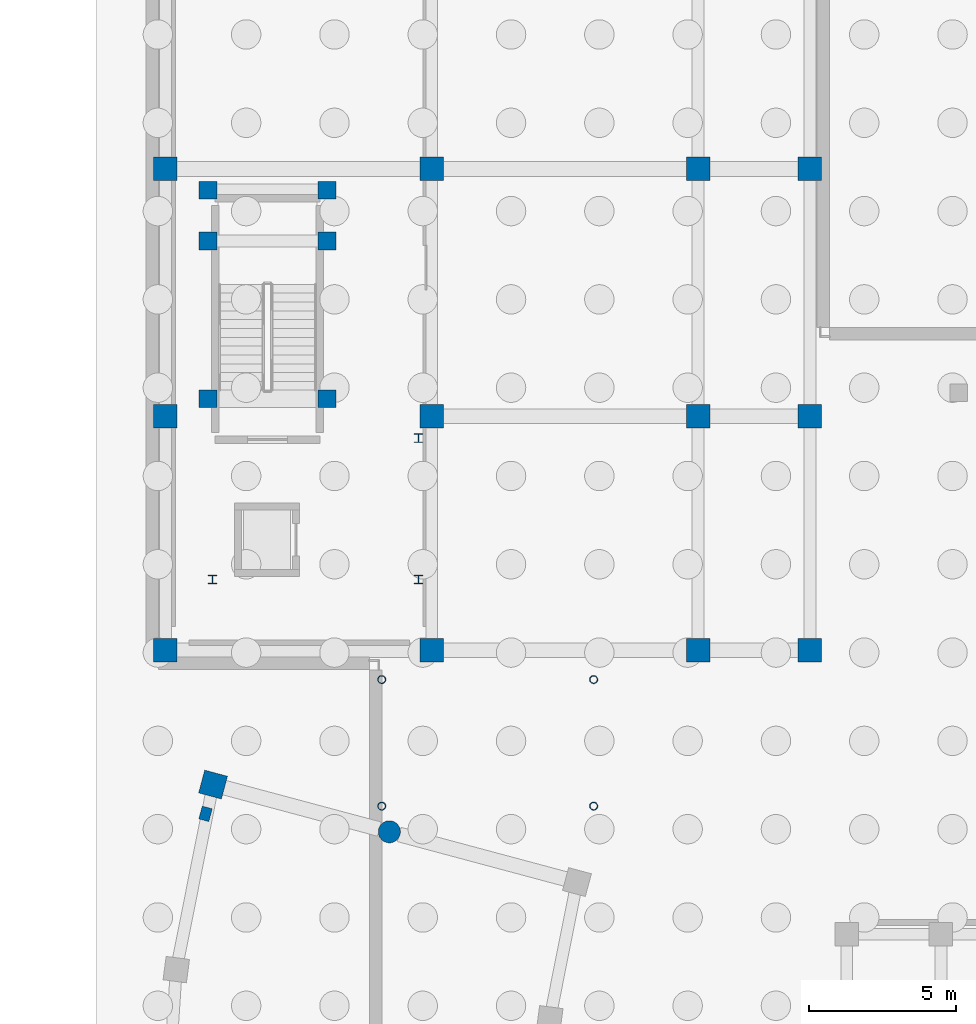
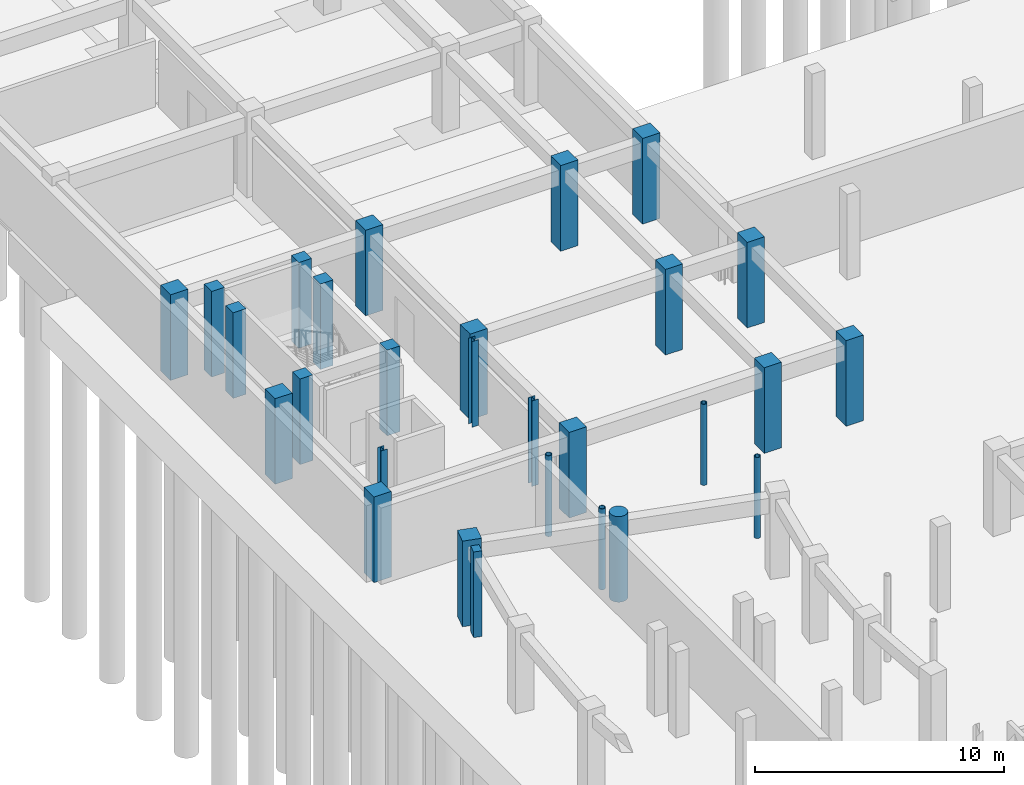
# One storey, part 11 of 33: 28 columns.
"""IFC4 building model written with IfcOpenShell, lengths in metres."""

from ifc_helpers import new_model, si_unit, direction, frame, origin, origin_2d, place, context, subcontext, project, spatial, rectangle, circle, hollow_circle, i_section, extrude, material, material_profile, profile_set, type_object, element, save


model = new_model("IFC4")

# Units and contexts
model_context = context("Model", 3, precision=1e-05, world=origin(), true_north=direction((0.0, 1.0)))
body_context = subcontext(model_context, "Body", "Model", "MODEL_VIEW")
ifc_project = project(units=[si_unit("LENGTHUNIT", "METRE"), si_unit("AREAUNIT", "SQUARE_METRE"), si_unit("VOLUMEUNIT", "CUBIC_METRE"), si_unit("PLANEANGLEUNIT", "RADIAN"), si_unit("MASSUNIT", "GRAM", prefix="KILO")], contexts=[model_context])

# Site, building, storey
site_placement = place(None, origin())
site = spatial("IfcSite", under=ifc_project, at=site_placement, CompositionType="ELEMENT")
building_placement = place(site_placement, origin())
building = spatial("IfcBuilding", under=site, at=building_placement, Name="Saryqyr Civic Hall", CompositionType="ELEMENT")
storey_placement = place(building_placement, frame((0.0, 0.0, -4.199951171875)))
storey = spatial("IfcBuildingStorey", under=building, at=storey_placement, Name="B1", CompositionType="ELEMENT", Elevation=-4.199951171875)

# Columns
ifc_material_1 = material(Name="Steel S355", Category="steel")
ifc_material_profile_1 = material_profile(ifc_material_1, hollow_circle(Radius=0.136474609375, WallThickness=0.01611328125, at=origin_2d()), Name="CHS 273x16")
ifc_profile_set_1 = profile_set([ifc_material_profile_1], Name="Steel S355")
column_type_1 = type_object("IfcColumnType", Name="STR-COL-CHS273-S355", PredefinedType="COLUMN", material=ifc_profile_set_1)
for number, where, z_axis, x_axis, name in (
    (1, (15.39990234375, 95.949951171875, 0.0), (0.0, 0.0, 1.0), (1.0, 0.0, 0.0), "Column BRCOL-BR-NW-1-B1"),
    (2, (22.60009765625, 95.949951171875, 0.0), (0.0, 0.0, 1.0), (1.0, 0.0, 0.0), "Column BRCOL-BR-NW-2-B1"),
    (3, (22.60009765625, 100.25, 0.0), (0.0, 0.0, 1.0), (1.0, 0.0, 0.0), "Column BRCOL-BR-NW-3-B1"),
    (4, (15.39990234375, 100.25, 0.0), (0.0, 0.0, 1.0), (1.0, 0.0, 0.0), "Column BRCOL-BR-NW-4-B1"),
):
    element("IfcColumn", number, at=place(storey_placement, frame(where, z_axis=z_axis, x_axis=x_axis)), inside=storey, type_object=column_type_1, Name=name, PredefinedType="COLUMN", context=body_context, shape_type="SweptSolid", body=[
        extrude(hollow_circle(Radius=0.136474609375, WallThickness=0.01611328125, at=origin_2d()), origin(), (0.0, 0.0, 1.0), 3.969970703125),
    ])
ifc_material_profile_2 = material_profile(ifc_material_1, i_section(OverallWidth=0.300048828125, OverallDepth=0.2900390625, WebThickness=0.008544921875, FlangeThickness=0.013916015625, at=origin_2d()), Name="HEA 300")
ifc_profile_set_2 = profile_set([ifc_material_profile_2], Name="Steel S355")
column_type_2 = type_object("IfcColumnType", Name="STR-COL-HEA300-S355", PredefinedType="COLUMN", material=ifc_profile_set_2)
for number, where, z_axis, x_axis, name in (
    (5, (9.64990234375, 103.64990234375, 0.0), (0.0, 0.0, 1.0), (1.0, 0.0, 0.0), "Column RGV3-COL-1-B1"),
    (6, (16.64990234375, 103.64990234375, 0.0), (0.0, 0.0, 1.0), (1.0, 0.0, 0.0), "Column RGV3-COL-2-B1"),
    (7, (16.64990234375, 108.449951171875, 0.0), (0.0, 0.0, 1.0), (1.0, 0.0, 0.0), "Column RGV3-COL-3-B1"),
):
    element("IfcColumn", number, at=place(storey_placement, frame(where, z_axis=z_axis, x_axis=x_axis)), inside=storey, type_object=column_type_2, Name=name, PredefinedType="COLUMN", context=body_context, shape_type="SweptSolid", body=[
        extrude(i_section(OverallWidth=0.300048828125, OverallDepth=0.2900390625, WebThickness=0.008544921875, FlangeThickness=0.013916015625, at=origin_2d()), origin(), (0.0, 0.0, 1.0), 4.199951171875),
    ])
ifc_material_2 = material(Name="Concrete C40/50", Category="concrete")
ifc_material_profile_3 = material_profile(ifc_material_2, rectangle(XDim=0.60009765625, YDim=0.60009765625, at=origin_2d()), Name="RC 600x600")
ifc_profile_set_3 = profile_set([ifc_material_profile_3], Name="Concrete C40/50")
column_type_3 = type_object("IfcColumnType", Name="STR-COL-RC600-C40", PredefinedType="COLUMN", material=ifc_profile_set_3)
for number, where, z_axis, x_axis, name in (
    (8, (13.5400390625, 109.794921875, 0.0), (0.0, 0.0, 1.0), (1.0, 0.0, 0.0), "Column ST-3-SCOL-TRMA-B1"),
    (9, (9.5, 109.794921875, 0.0), (0.0, 0.0, 1.0), (1.0, 0.0, 0.0), "Column ST-3-SCOL-TRMB-B1"),
    (10, (13.5400390625, 115.14990234375, 0.0), (0.0, 0.0, 1.0), (1.0, 0.0, 0.0), "Column ST-3-SCOL-LND1A-B1"),
    (11, (9.5, 115.14990234375, 0.0), (0.0, 0.0, 1.0), (1.0, 0.0, 0.0), "Column ST-3-SCOL-LND1B-B1"),
    (12, (13.5400390625, 116.8798828125, 0.0), (0.0, 0.0, 1.0), (1.0, 0.0, 0.0), "Column ST-3-SCOL-LND2A-B1"),
    (13, (9.5, 116.8798828125, 0.0), (0.0, 0.0, 1.0), (1.0, 0.0, 0.0), "Column ST-3-SCOL-LND2B-B1"),
):
    element("IfcColumn", number, at=place(storey_placement, frame(where, z_axis=z_axis, x_axis=x_axis)), inside=storey, type_object=column_type_3, Name=name, PredefinedType="COLUMN", context=body_context, shape_type="SweptSolid", body=[
        extrude(rectangle(XDim=0.60009765625, YDim=0.60009765625, at=origin_2d()), origin(), (0.0, 0.0, 1.0), 4.199951171875),
    ])
ifc_material_profile_4 = material_profile(ifc_material_2, rectangle(XDim=0.800048828125, YDim=0.800048828125, at=origin_2d()), Name="RC 800x800")
ifc_profile_set_4 = profile_set([ifc_material_profile_4], Name="Concrete C40/50")
column_type_4 = type_object("IfcColumnType", Name="STR-COL-RC800-C40", PredefinedType="COLUMN", material=ifc_profile_set_4)
for number, where, z_axis, x_axis, name in (
    (14, (9.669677734375, 96.68212890625, 0.0), (0.0, 0.0, 1.0), (-0.965925826289, 0.258819045103, 0.0), "Column V4-COL-OUT00-B1"),
    (15, (8.050048828125, 101.25, 0.0), (0.0, 0.0, 1.0), (1.0, 0.0, 0.0), "Column V3-COL-11-B1"),
    (16, (8.050048828125, 109.199951171875, 0.0), (0.0, 0.0, 1.0), (1.0, 0.0, 0.0), "Column V3-COL-12-B1"),
    (17, (8.050048828125, 117.60009765625, 0.0), (0.0, 0.0, 1.0), (1.0, 0.0, 0.0), "Column V3-COL-13-B1"),
    (18, (17.10009765625, 101.25, 0.0), (0.0, 0.0, 1.0), (1.0, 0.0, 0.0), "Column V3-COL-21-B1"),
    (19, (17.10009765625, 109.199951171875, 0.0), (0.0, 0.0, 1.0), (1.0, 0.0, 0.0), "Column V3-COL-22-B1"),
    (20, (17.10009765625, 117.60009765625, 0.0), (0.0, 0.0, 1.0), (1.0, 0.0, 0.0), "Column V3-COL-23-B1"),
    (21, (26.14990234375, 101.25, 0.0), (0.0, 0.0, 1.0), (1.0, 0.0, 0.0), "Column V3-COL-31-B1"),
    (22, (26.14990234375, 109.199951171875, 0.0), (0.0, 0.0, 1.0), (1.0, 0.0, 0.0), "Column V3-COL-32-B1"),
    (23, (26.14990234375, 117.60009765625, 0.0), (0.0, 0.0, 1.0), (1.0, 0.0, 0.0), "Column V3-COL-33-B1"),
    (24, (29.949951171875, 101.25, 0.0), (0.0, 0.0, 1.0), (1.0, 0.0, 0.0), "Column V3-COL-41-B1"),
    (25, (29.949951171875, 109.199951171875, 0.0), (0.0, 0.0, 1.0), (1.0, 0.0, 0.0), "Column V3-COL-42-B1"),
    (26, (29.949951171875, 117.60009765625, 0.0), (0.0, 0.0, 1.0), (1.0, 0.0, 0.0), "Column V3-COL-43-B1"),
):
    element("IfcColumn", number, at=place(storey_placement, frame(where, z_axis=z_axis, x_axis=x_axis)), inside=storey, type_object=column_type_4, Name=name, PredefinedType="COLUMN", context=body_context, shape_type="SweptSolid", body=[
        extrude(rectangle(XDim=0.800048828125, YDim=0.800048828125, at=origin_2d()), origin(), (0.0, 0.0, 1.0), 4.199951171875),
    ])
ifc_material_profile_5 = material_profile(ifc_material_2, circle(Radius=0.375, at=origin_2d()), Name="RC D750")
ifc_profile_set_5 = profile_set([ifc_material_profile_5], Name="Concrete C40/50")
column_type_5 = type_object("IfcColumnType", Name="STR-COL-RCD750-INT", PredefinedType="COLUMN", material=ifc_profile_set_5)
column_1_placement = place(storey_placement, frame((15.658447265625, 95.077392578125, 0.0), z_axis=(0.0, 0.0, 1.0), x_axis=(-0.965925826289, 0.258819045103, 0.0)))
element("IfcColumn", 27, at=column_1_placement, inside=storey, type_object=column_type_5, Name="Column V4-COL-MID00-B1", PredefinedType="COLUMN", context=body_context, shape_type="SweptSolid", body=[
    extrude(circle(Radius=0.375, at=origin_2d()), origin(), (0.0, 0.0, 1.0), 4.199951171875),
])
ifc_material_3 = material(Name="Concrete C35/45", Category="concrete")
ifc_material_profile_6 = material_profile(ifc_material_3, rectangle(XDim=0.35009765625, YDim=0.449951171875, at=origin_2d()), Name="RC 350x450")
ifc_profile_set_6 = profile_set([ifc_material_profile_6], Name="Concrete C35/45")
column_type_6 = type_object("IfcColumnType", Name="STR-PIL-RC350x450-EXT", PredefinedType="PILASTER", material=ifc_profile_set_6)
column_2_placement = place(storey_placement, frame((9.414306640625, 95.68798828125, 0.0), z_axis=(0.0, 0.0, 1.0), x_axis=(-0.965925826289, 0.258819045103, 0.0)))
element("IfcColumn", 28, at=column_2_placement, inside=storey, type_object=column_type_6, Name="Column V4-PIL-00-B1", PredefinedType="PILASTER", context=body_context, shape_type="SweptSolid", body=[
    extrude(rectangle(XDim=0.35009765625, YDim=0.449951171875, at=origin_2d()), origin(), (0.0, 0.0, 1.0), 4.199951171875),
])

save(model, "model.ifc")
